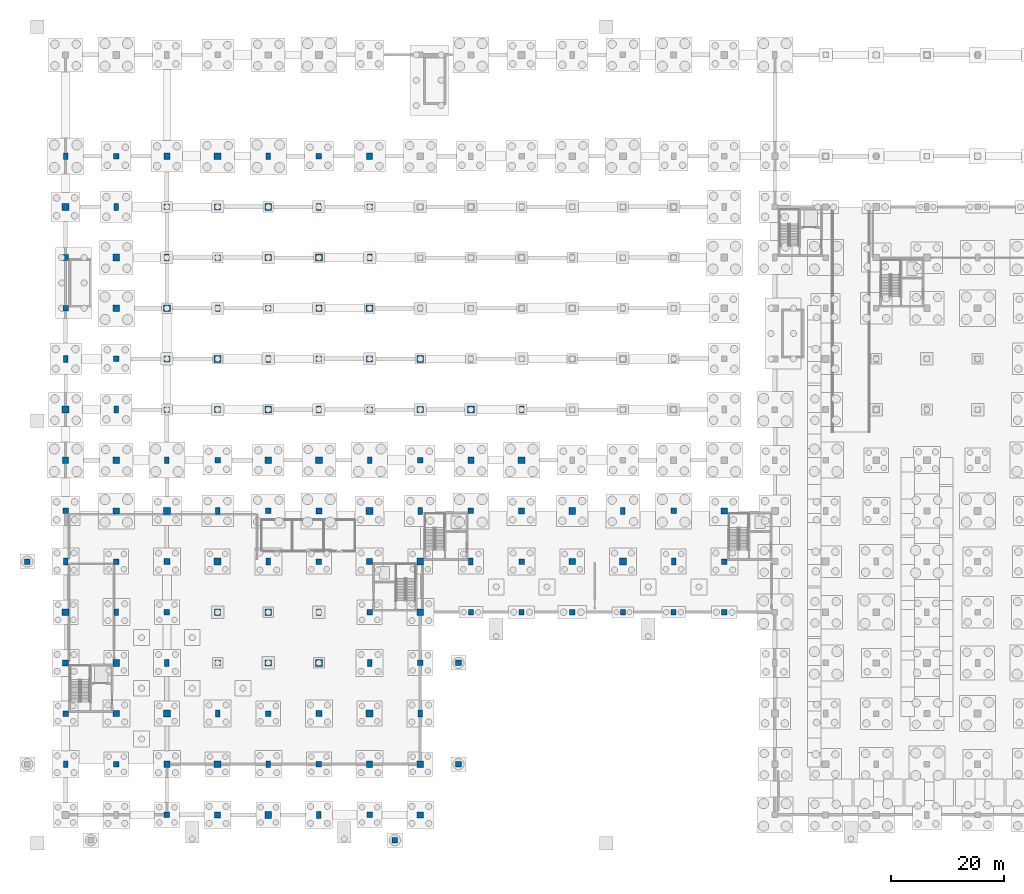
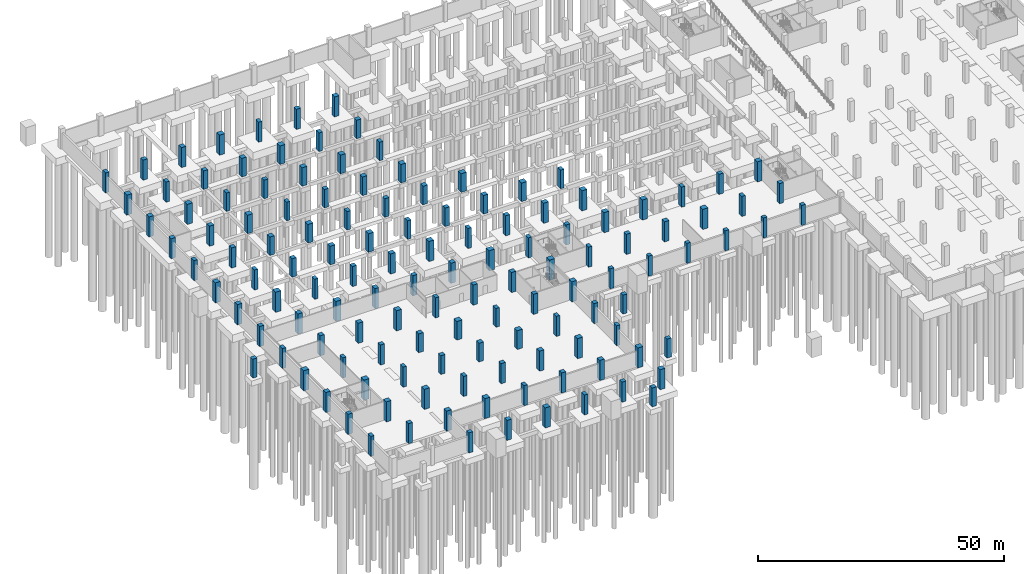
# One storey, part 12 of 37: 132 columns.
"""IFC4 building model written with IfcOpenShell, lengths in metres."""

from ifc_helpers import new_model, si_unit, direction, frame, origin, origin_2d, place, context, subcontext, project, spatial, rectangle, extrude, material, material_profile, profile_set, type_object, element, save


model = new_model("IFC4")

# Units and contexts
model_context = context("Model", 3, precision=1e-05, world=origin(), true_north=direction((0.0, 1.0)))
body_context = subcontext(model_context, "Body", "Model", "MODEL_VIEW")
ifc_project = project(units=[si_unit("LENGTHUNIT", "METRE"), si_unit("AREAUNIT", "SQUARE_METRE"), si_unit("VOLUMEUNIT", "CUBIC_METRE"), si_unit("PLANEANGLEUNIT", "RADIAN"), si_unit("MASSUNIT", "GRAM", prefix="KILO")], contexts=[model_context])

# Site, building, storey
site_placement = place(None, origin())
site = spatial("IfcSite", under=ifc_project, at=site_placement, CompositionType="ELEMENT")
building_placement = place(site_placement, origin())
building = spatial("IfcBuilding", under=site, at=building_placement, Name="Barlavento Convention Centre", CompositionType="ELEMENT")
storey_placement = place(building_placement, frame((0.0, 0.0, -5.0)))
storey = spatial("IfcBuildingStorey", under=building, at=storey_placement, Name="B1", CompositionType="ELEMENT", Elevation=-5.0)

# Columns
ifc_material = material(Name="Concrete C50/60", Category="concrete")
ifc_material_profile_1 = material_profile(ifc_material, rectangle(XDim=1.0, YDim=1.0, at=origin_2d()), Name="RC 1000x1000")
ifc_profile_set_1 = profile_set([ifc_material_profile_1], Name="Concrete C50/60")
column_type_1 = type_object("IfcColumnType", Name="STR-COL-RC1000", PredefinedType="COLUMN", material=ifc_profile_set_1)
for number, where, z_axis, x_axis, name in (
    (1, (0.0, 18.0, 0.0), (0.0, 0.0, 1.0), (1.0, 0.0, 0.0), "B1 column CC03"),
    (2, (0.0, 54.0, 0.0), (0.0, 0.0, 1.0), (1.0, 0.0, 0.0), "B1 column CC03"),
    (3, (0.0, 90.0, 0.0), (0.0, 0.0, 1.0), (1.0, 0.0, 0.0), "B1 column CC03"),
    (4, (9.0, 9.0, 0.0), (0.0, 0.0, 1.0), (1.0, 0.0, 0.0), "B1 column CC03"),
    (5, (9.0, 45.0, 0.0), (0.0, 0.0, 1.0), (1.0, 0.0, 0.0), "B1 column CC03"),
    (6, (9.0, 81.0, 0.0), (0.0, 0.0, 1.0), (1.0, 0.0, 0.0), "B1 column CC03"),
    (7, (9.0, 117.0, 0.0), (0.0, 0.0, 1.0), (1.0, 0.0, 0.0), "B1 column CC03"),
    (8, (18.0, 0.0, 0.0), (0.0, 0.0, 1.0), (1.0, 0.0, 0.0), "B1 column CC03"),
    (9, (18.0, 36.0, 0.0), (0.0, 0.0, 1.0), (1.0, 0.0, 0.0), "B1 column CC03"),
):
    element("IfcColumn", number, at=place(storey_placement, frame(where, z_axis=z_axis, x_axis=x_axis)), inside=storey, type_object=column_type_1, Name=name, PredefinedType="COLUMN", context=body_context, shape_type="SweptSolid", body=[
        extrude(rectangle(XDim=1.0, YDim=1.0, at=origin_2d()), origin(), (0.0, 0.0, 1.0), 5.0),
    ])
for number, where, z_axis, x_axis, name in (
    (10, (18.0, 72.0, 0.0), (0.0, 0.0, 1.0), (1.0, 0.0, 0.0), "B1 column CC03"),
    (11, (18.0, 108.0, 0.0), (0.0, 0.0, 1.0), (1.0, 0.0, 0.0), "B1 column CC03"),
):
    element("IfcColumn", number, at=place(storey_placement, frame(where, z_axis=z_axis, x_axis=x_axis)), inside=storey, type_object=column_type_1, Name=name, PredefinedType="COLUMN", context=body_context, shape_type="SweptSolid", body=[
        extrude(rectangle(XDim=1.0, YDim=1.0, at=origin_2d()), origin(), (0.0, 0.0, 1.0), 4.6201171875),
    ])
column_1_placement = place(storey_placement, frame((27.0, 27.0, 0.0), z_axis=(0.0, 0.0, 1.0), x_axis=(1.0, 0.0, 0.0)))
element("IfcColumn", 12, at=column_1_placement, inside=storey, type_object=column_type_1, Name="B1 column CC03", PredefinedType="COLUMN", context=body_context, shape_type="SweptSolid", body=[
    extrude(rectangle(XDim=1.0, YDim=1.0, at=origin_2d()), origin(), (0.0, 0.0, 1.0), 4.659912109375),
])
column_2_placement = place(storey_placement, frame((27.0, 63.0, 0.0), z_axis=(0.0, 0.0, 1.0), x_axis=(1.0, 0.0, 0.0)))
element("IfcColumn", 13, at=column_2_placement, inside=storey, type_object=column_type_1, Name="B1 column CC03", PredefinedType="COLUMN", context=body_context, shape_type="SweptSolid", body=[
    extrude(rectangle(XDim=1.0, YDim=1.0, at=origin_2d()), origin(), (0.0, 0.0, 1.0), 5.0),
])
column_3_placement = place(storey_placement, frame((27.0, 99.0, 0.0), z_axis=(0.0, 0.0, 1.0), x_axis=(1.0, 0.0, 0.0)))
element("IfcColumn", 14, at=column_3_placement, inside=storey, type_object=column_type_1, Name="B1 column CC03", PredefinedType="COLUMN", context=body_context, shape_type="SweptSolid", body=[
    extrude(rectangle(XDim=1.0, YDim=1.0, at=origin_2d()), origin(), (0.0, 0.0, 1.0), 4.6201171875),
])
for number, where, z_axis, x_axis, name in (
    (15, (36.0, 18.0, 0.0), (0.0, 0.0, 1.0), (1.0, 0.0, 0.0), "B1 column CC03"),
    (16, (36.0, 54.0, 0.0), (0.0, 0.0, 1.0), (1.0, 0.0, 0.0), "B1 column CC03"),
):
    element("IfcColumn", number, at=place(storey_placement, frame(where, z_axis=z_axis, x_axis=x_axis)), inside=storey, type_object=column_type_1, Name=name, PredefinedType="COLUMN", context=body_context, shape_type="SweptSolid", body=[
        extrude(rectangle(XDim=1.0, YDim=1.0, at=origin_2d()), origin(), (0.0, 0.0, 1.0), 5.0),
    ])
column_4_placement = place(storey_placement, frame((36.0, 90.0, 0.0), z_axis=(0.0, 0.0, 1.0), x_axis=(1.0, 0.0, 0.0)))
element("IfcColumn", 17, at=column_4_placement, inside=storey, type_object=column_type_1, Name="B1 column CC03", PredefinedType="COLUMN", context=body_context, shape_type="SweptSolid", body=[
    extrude(rectangle(XDim=1.0, YDim=1.0, at=origin_2d()), origin(), (0.0, 0.0, 1.0), 4.6201171875),
])
for number, where, z_axis, x_axis, name in (
    (18, (45.0, 9.0, 0.0), (0.0, 0.0, 1.0), (1.0, 0.0, 0.0), "B1 column CC03"),
    (19, (45.0, 45.0, 0.0), (0.0, 0.0, 1.0), (1.0, 0.0, 0.0), "B1 column CC03"),
):
    element("IfcColumn", number, at=place(storey_placement, frame(where, z_axis=z_axis, x_axis=x_axis)), inside=storey, type_object=column_type_1, Name=name, PredefinedType="COLUMN", context=body_context, shape_type="SweptSolid", body=[
        extrude(rectangle(XDim=1.0, YDim=1.0, at=origin_2d()), origin(), (0.0, 0.0, 1.0), 5.0),
    ])
column_5_placement = place(storey_placement, frame((45.0, 81.0, 0.0), z_axis=(0.0, 0.0, 1.0), x_axis=(1.0, 0.0, 0.0)))
element("IfcColumn", 20, at=column_5_placement, inside=storey, type_object=column_type_1, Name="B1 column CC03", PredefinedType="COLUMN", context=body_context, shape_type="SweptSolid", body=[
    extrude(rectangle(XDim=1.0, YDim=1.0, at=origin_2d()), origin(), (0.0, 0.0, 1.0), 4.6201171875),
])
for number, where, z_axis, x_axis, name in (
    (21, (45.0, 117.0, 0.0), (0.0, 0.0, 1.0), (1.0, 0.0, 0.0), "B1 column CC03"),
    (22, (54.0, 0.0, 0.0), (0.0, 0.0, 1.0), (1.0, 0.0, 0.0), "B1 column CC03"),
    (23, (54.0, 36.0, 0.0), (0.0, 0.0, 1.0), (1.0, 0.0, 0.0), "B1 column CC03"),
):
    element("IfcColumn", number, at=place(storey_placement, frame(where, z_axis=z_axis, x_axis=x_axis)), inside=storey, type_object=column_type_1, Name=name, PredefinedType="COLUMN", context=body_context, shape_type="SweptSolid", body=[
        extrude(rectangle(XDim=1.0, YDim=1.0, at=origin_2d()), origin(), (0.0, 0.0, 1.0), 5.0),
    ])
for number, where, z_axis, x_axis, name in (
    (24, (54.0, 72.0, 0.0), (0.0, 0.0, 1.0), (1.0, 0.0, 0.0), "B1 column CC03"),
    (25, (54.0, 108.0, 0.0), (0.0, 0.0, 1.0), (1.0, 0.0, 0.0), "B1 column CC03"),
):
    element("IfcColumn", number, at=place(storey_placement, frame(where, z_axis=z_axis, x_axis=x_axis)), inside=storey, type_object=column_type_1, Name=name, PredefinedType="COLUMN", context=body_context, shape_type="SweptSolid", body=[
        extrude(rectangle(XDim=1.0, YDim=1.0, at=origin_2d()), origin(), (0.0, 0.0, 1.0), 4.6201171875),
    ])
for number, where, z_axis, x_axis, name in (
    (26, (63.0, 27.0, 0.0), (0.0, 0.0, 1.0), (1.0, 0.0, 0.0), "B1 column CC03"),
    (27, (63.0, 63.0, 0.0), (0.0, 0.0, 1.0), (1.0, 0.0, 0.0), "B1 column CC03"),
    (28, (72.0, 54.0, 0.0), (0.0, 0.0, 1.0), (1.0, 0.0, 0.0), "B1 column CC03"),
    (29, (81.0, 45.0, 0.0), (0.0, 0.0, 1.0), (1.0, 0.0, 0.0), "B1 column CC03"),
    (30, (108.0, 54.0, 0.0), (0.0, 0.0, 1.0), (1.0, 0.0, 0.0), "B1 column CC03"),
    (31, (117.0, 45.0, 0.0), (0.0, 0.0, 1.0), (1.0, 0.0, 0.0), "B1 column CC03"),
):
    element("IfcColumn", number, at=place(storey_placement, frame(where, z_axis=z_axis, x_axis=x_axis)), inside=storey, type_object=column_type_1, Name=name, PredefinedType="COLUMN", context=body_context, shape_type="SweptSolid", body=[
        extrude(rectangle(XDim=1.0, YDim=1.0, at=origin_2d()), origin(), (0.0, 0.0, 1.0), 5.0),
    ])
for number, where, z_axis, x_axis, name in (
    (32, (58.5, -4.5, 0.0), (0.0, 0.0, 1.0), (1.0, 0.0, 0.0), "Canopy V-strut foundation pedestal CC03"),
    (33, (-6.800048828125, 45.0, 0.0), (0.0, 0.0, 1.0), (1.0, 0.0, 0.0), "Canopy V-strut foundation pedestal CC03"),
    (34, (69.800048828125, 9.0, 0.0), (0.0, 0.0, 1.0), (1.0, 0.0, 0.0), "Canopy V-strut foundation pedestal CC03"),
    (35, (69.800048828125, 27.0, 0.0), (0.0, 0.0, 1.0), (1.0, 0.0, 0.0), "Canopy V-strut foundation pedestal CC03"),
):
    element("IfcColumn", number, at=place(storey_placement, frame(where, z_axis=z_axis, x_axis=x_axis)), inside=storey, type_object=column_type_1, Name=name, PredefinedType="COLUMN", context=body_context, shape_type="SweptSolid", body=[
        extrude(rectangle(XDim=1.0, YDim=1.0, at=origin_2d()), origin(), (0.0, 0.0, 1.0), 4.699951171875),
    ])
ifc_material_profile_2 = material_profile(ifc_material, rectangle(XDim=1.10009765625, YDim=1.10009765625, at=origin_2d()), Name="RC 1100x1100")
ifc_profile_set_2 = profile_set([ifc_material_profile_2], Name="Concrete C50/60")
column_type_2 = type_object("IfcColumnType", Name="STR-COL-RC1100", PredefinedType="COLUMN", material=ifc_profile_set_2)
for number, where, z_axis, x_axis, name in (
    (36, (0.0, 27.0, 0.0), (0.0, 0.0, 1.0), (1.0, 0.0, 0.0), "B1 column CC02"),
    (37, (0.0, 63.0, 0.0), (0.0, 0.0, 1.0), (1.0, 0.0, 0.0), "B1 column CC02"),
    (38, (0.0, 99.0, 0.0), (0.0, 0.0, 1.0), (1.0, 0.0, 0.0), "B1 column CC02"),
    (39, (9.0, 18.0, 0.0), (0.0, 0.0, 1.0), (1.0, 0.0, 0.0), "B1 column CC02"),
    (40, (9.0, 54.0, 0.0), (0.0, 0.0, 1.0), (1.0, 0.0, 0.0), "B1 column CC02"),
    (41, (9.0, 90.0, 0.0), (0.0, 0.0, 1.0), (1.0, 0.0, 0.0), "B1 column CC02"),
    (42, (18.0, 9.0, 0.0), (0.0, 0.0, 1.0), (1.0, 0.0, 0.0), "B1 column CC02"),
    (43, (18.0, 45.0, 0.0), (0.0, 0.0, 1.0), (1.0, 0.0, 0.0), "B1 column CC02"),
):
    element("IfcColumn", number, at=place(storey_placement, frame(where, z_axis=z_axis, x_axis=x_axis)), inside=storey, type_object=column_type_2, Name=name, PredefinedType="COLUMN", context=body_context, shape_type="SweptSolid", body=[
        extrude(rectangle(XDim=1.10009765625, YDim=1.10009765625, at=origin_2d()), origin(), (0.0, 0.0, 1.0), 5.0),
    ])
column_6_placement = place(storey_placement, frame((18.0, 81.0, 0.0), z_axis=(0.0, 0.0, 1.0), x_axis=(1.0, 0.0, 0.0)))
element("IfcColumn", 44, at=column_6_placement, inside=storey, type_object=column_type_2, Name="B1 column CC02", PredefinedType="COLUMN", context=body_context, shape_type="SweptSolid", body=[
    extrude(rectangle(XDim=1.10009765625, YDim=1.10009765625, at=origin_2d()), origin(), (0.0, 0.0, 1.0), 4.6201171875),
])
for number, where, z_axis, x_axis, name in (
    (45, (18.0, 117.0, 0.0), (0.0, 0.0, 1.0), (1.0, 0.0, 0.0), "B1 column CC02"),
    (46, (27.0, 0.0, 0.0), (0.0, 0.0, 1.0), (1.0, 0.0, 0.0), "B1 column CC02"),
):
    element("IfcColumn", number, at=place(storey_placement, frame(where, z_axis=z_axis, x_axis=x_axis)), inside=storey, type_object=column_type_2, Name=name, PredefinedType="COLUMN", context=body_context, shape_type="SweptSolid", body=[
        extrude(rectangle(XDim=1.10009765625, YDim=1.10009765625, at=origin_2d()), origin(), (0.0, 0.0, 1.0), 5.0),
    ])
column_7_placement = place(storey_placement, frame((27.0, 36.0, 0.0), z_axis=(0.0, 0.0, 1.0), x_axis=(1.0, 0.0, 0.0)))
element("IfcColumn", 47, at=column_7_placement, inside=storey, type_object=column_type_2, Name="B1 column CC02", PredefinedType="COLUMN", context=body_context, shape_type="SweptSolid", body=[
    extrude(rectangle(XDim=1.10009765625, YDim=1.10009765625, at=origin_2d()), origin(), (0.0, 0.0, 1.0), 4.659912109375),
])
for number, where, z_axis, x_axis, name in (
    (48, (27.0, 72.0, 0.0), (0.0, 0.0, 1.0), (1.0, 0.0, 0.0), "B1 column CC02"),
    (49, (27.0, 108.0, 0.0), (0.0, 0.0, 1.0), (1.0, 0.0, 0.0), "B1 column CC02"),
):
    element("IfcColumn", number, at=place(storey_placement, frame(where, z_axis=z_axis, x_axis=x_axis)), inside=storey, type_object=column_type_2, Name=name, PredefinedType="COLUMN", context=body_context, shape_type="SweptSolid", body=[
        extrude(rectangle(XDim=1.10009765625, YDim=1.10009765625, at=origin_2d()), origin(), (0.0, 0.0, 1.0), 4.6201171875),
    ])
column_8_placement = place(storey_placement, frame((36.0, 27.0, 0.0), z_axis=(0.0, 0.0, 1.0), x_axis=(1.0, 0.0, 0.0)))
element("IfcColumn", 50, at=column_8_placement, inside=storey, type_object=column_type_2, Name="B1 column CC02", PredefinedType="COLUMN", context=body_context, shape_type="SweptSolid", body=[
    extrude(rectangle(XDim=1.10009765625, YDim=1.10009765625, at=origin_2d()), origin(), (0.0, 0.0, 1.0), 4.659912109375),
])
column_9_placement = place(storey_placement, frame((36.0, 63.0, 0.0), z_axis=(0.0, 0.0, 1.0), x_axis=(1.0, 0.0, 0.0)))
element("IfcColumn", 51, at=column_9_placement, inside=storey, type_object=column_type_2, Name="B1 column CC02", PredefinedType="COLUMN", context=body_context, shape_type="SweptSolid", body=[
    extrude(rectangle(XDim=1.10009765625, YDim=1.10009765625, at=origin_2d()), origin(), (0.0, 0.0, 1.0), 5.0),
])
column_10_placement = place(storey_placement, frame((36.0, 99.0, 0.0), z_axis=(0.0, 0.0, 1.0), x_axis=(1.0, 0.0, 0.0)))
element("IfcColumn", 52, at=column_10_placement, inside=storey, type_object=column_type_2, Name="B1 column CC02", PredefinedType="COLUMN", context=body_context, shape_type="SweptSolid", body=[
    extrude(rectangle(XDim=1.10009765625, YDim=1.10009765625, at=origin_2d()), origin(), (0.0, 0.0, 1.0), 4.6201171875),
])
for number, where, z_axis, x_axis, name in (
    (53, (45.0, 18.0, 0.0), (0.0, 0.0, 1.0), (1.0, 0.0, 0.0), "B1 column CC02"),
    (54, (45.0, 54.0, 0.0), (0.0, 0.0, 1.0), (1.0, 0.0, 0.0), "B1 column CC02"),
):
    element("IfcColumn", number, at=place(storey_placement, frame(where, z_axis=z_axis, x_axis=x_axis)), inside=storey, type_object=column_type_2, Name=name, PredefinedType="COLUMN", context=body_context, shape_type="SweptSolid", body=[
        extrude(rectangle(XDim=1.10009765625, YDim=1.10009765625, at=origin_2d()), origin(), (0.0, 0.0, 1.0), 5.0),
    ])
column_11_placement = place(storey_placement, frame((45.0, 90.0, 0.0), z_axis=(0.0, 0.0, 1.0), x_axis=(1.0, 0.0, 0.0)))
element("IfcColumn", 55, at=column_11_placement, inside=storey, type_object=column_type_2, Name="B1 column CC02", PredefinedType="COLUMN", context=body_context, shape_type="SweptSolid", body=[
    extrude(rectangle(XDim=1.10009765625, YDim=1.10009765625, at=origin_2d()), origin(), (0.0, 0.0, 1.0), 4.6201171875),
])
for number, where, z_axis, x_axis, name in (
    (56, (54.0, 9.0, 0.0), (0.0, 0.0, 1.0), (1.0, 0.0, 0.0), "B1 column CC02"),
    (57, (54.0, 45.0, 0.0), (0.0, 0.0, 1.0), (1.0, 0.0, 0.0), "B1 column CC02"),
):
    element("IfcColumn", number, at=place(storey_placement, frame(where, z_axis=z_axis, x_axis=x_axis)), inside=storey, type_object=column_type_2, Name=name, PredefinedType="COLUMN", context=body_context, shape_type="SweptSolid", body=[
        extrude(rectangle(XDim=1.10009765625, YDim=1.10009765625, at=origin_2d()), origin(), (0.0, 0.0, 1.0), 5.0),
    ])
column_12_placement = place(storey_placement, frame((54.0, 81.0, 0.0), z_axis=(0.0, 0.0, 1.0), x_axis=(1.0, 0.0, 0.0)))
element("IfcColumn", 58, at=column_12_placement, inside=storey, type_object=column_type_2, Name="B1 column CC02", PredefinedType="COLUMN", context=body_context, shape_type="SweptSolid", body=[
    extrude(rectangle(XDim=1.10009765625, YDim=1.10009765625, at=origin_2d()), origin(), (0.0, 0.0, 1.0), 4.6201171875),
])
for number, where, z_axis, x_axis, name in (
    (59, (54.0, 117.0, 0.0), (0.0, 0.0, 1.0), (1.0, 0.0, 0.0), "B1 column CC02"),
    (60, (63.0, 0.0, 0.0), (0.0, 0.0, 1.0), (1.0, 0.0, 0.0), "B1 column CC02"),
    (61, (63.0, 36.0, 0.0), (0.0, 0.0, 1.0), (1.0, 0.0, 0.0), "B1 column CC02"),
):
    element("IfcColumn", number, at=place(storey_placement, frame(where, z_axis=z_axis, x_axis=x_axis)), inside=storey, type_object=column_type_2, Name=name, PredefinedType="COLUMN", context=body_context, shape_type="SweptSolid", body=[
        extrude(rectangle(XDim=1.10009765625, YDim=1.10009765625, at=origin_2d()), origin(), (0.0, 0.0, 1.0), 5.0),
    ])
column_13_placement = place(storey_placement, frame((63.0, 72.0, 0.0), z_axis=(0.0, 0.0, 1.0), x_axis=(1.0, 0.0, 0.0)))
element("IfcColumn", 62, at=column_13_placement, inside=storey, type_object=column_type_2, Name="B1 column CC02", PredefinedType="COLUMN", context=body_context, shape_type="SweptSolid", body=[
    extrude(rectangle(XDim=1.10009765625, YDim=1.10009765625, at=origin_2d()), origin(), (0.0, 0.0, 1.0), 4.6201171875),
])
for number, where, z_axis, x_axis, name in (
    (63, (72.0, 63.0, 0.0), (0.0, 0.0, 1.0), (1.0, 0.0, 0.0), "B1 column CC02"),
    (64, (81.0, 54.0, 0.0), (0.0, 0.0, 1.0), (1.0, 0.0, 0.0), "B1 column CC02"),
    (65, (90.0, 45.0, 0.0), (0.0, 0.0, 1.0), (1.0, 0.0, 0.0), "B1 column CC02"),
    (66, (117.0, 54.0, 0.0), (0.0, 0.0, 1.0), (1.0, 0.0, 0.0), "B1 column CC02"),
):
    element("IfcColumn", number, at=place(storey_placement, frame(where, z_axis=z_axis, x_axis=x_axis)), inside=storey, type_object=column_type_2, Name=name, PredefinedType="COLUMN", context=body_context, shape_type="SweptSolid", body=[
        extrude(rectangle(XDim=1.10009765625, YDim=1.10009765625, at=origin_2d()), origin(), (0.0, 0.0, 1.0), 5.0),
    ])
ifc_material_profile_3 = material_profile(ifc_material, rectangle(XDim=1.199951171875, YDim=1.199951171875, at=origin_2d()), Name="RC 1200x1200")
ifc_profile_set_3 = profile_set([ifc_material_profile_3], Name="Concrete C50/60")
column_type_3 = type_object("IfcColumnType", Name="STR-COL-RC1200", PredefinedType="COLUMN", material=ifc_profile_set_3)
for number, where, z_axis, x_axis, name in (
    (67, (0.0, 36.0, 0.0), (0.0, 0.0, 1.0), (1.0, 0.0, 0.0), "B1 column CC01"),
    (68, (0.0, 72.0, 0.0), (0.0, 0.0, 1.0), (1.0, 0.0, 0.0), "B1 column CC01"),
    (69, (0.0, 108.0, 0.0), (0.0, 0.0, 1.0), (1.0, 0.0, 0.0), "B1 column CC01"),
    (70, (9.0, 27.0, 0.0), (0.0, 0.0, 1.0), (1.0, 0.0, 0.0), "B1 column CC01"),
    (71, (9.0, 63.0, 0.0), (0.0, 0.0, 1.0), (1.0, 0.0, 0.0), "B1 column CC01"),
    (72, (9.0, 99.0, 0.0), (0.0, 0.0, 1.0), (1.0, 0.0, 0.0), "B1 column CC01"),
    (73, (18.0, 18.0, 0.0), (0.0, 0.0, 1.0), (1.0, 0.0, 0.0), "B1 column CC01"),
    (74, (18.0, 54.0, 0.0), (0.0, 0.0, 1.0), (1.0, 0.0, 0.0), "B1 column CC01"),
):
    element("IfcColumn", number, at=place(storey_placement, frame(where, z_axis=z_axis, x_axis=x_axis)), inside=storey, type_object=column_type_3, Name=name, PredefinedType="COLUMN", context=body_context, shape_type="SweptSolid", body=[
        extrude(rectangle(XDim=1.199951171875, YDim=1.199951171875, at=origin_2d()), origin(), (0.0, 0.0, 1.0), 5.0),
    ])
column_14_placement = place(storey_placement, frame((18.0, 90.0, 0.0), z_axis=(0.0, 0.0, 1.0), x_axis=(1.0, 0.0, 0.0)))
element("IfcColumn", 75, at=column_14_placement, inside=storey, type_object=column_type_3, Name="B1 column CC01", PredefinedType="COLUMN", context=body_context, shape_type="SweptSolid", body=[
    extrude(rectangle(XDim=1.199951171875, YDim=1.199951171875, at=origin_2d()), origin(), (0.0, 0.0, 1.0), 4.6201171875),
])
for number, where, z_axis, x_axis, name in (
    (76, (27.0, 9.0, 0.0), (0.0, 0.0, 1.0), (1.0, 0.0, 0.0), "B1 column CC01"),
    (77, (27.0, 45.0, 0.0), (0.0, 0.0, 1.0), (1.0, 0.0, 0.0), "B1 column CC01"),
):
    element("IfcColumn", number, at=place(storey_placement, frame(where, z_axis=z_axis, x_axis=x_axis)), inside=storey, type_object=column_type_3, Name=name, PredefinedType="COLUMN", context=body_context, shape_type="SweptSolid", body=[
        extrude(rectangle(XDim=1.199951171875, YDim=1.199951171875, at=origin_2d()), origin(), (0.0, 0.0, 1.0), 5.0),
    ])
column_15_placement = place(storey_placement, frame((27.0, 81.0, 0.0), z_axis=(0.0, 0.0, 1.0), x_axis=(1.0, 0.0, 0.0)))
element("IfcColumn", 78, at=column_15_placement, inside=storey, type_object=column_type_3, Name="B1 column CC01", PredefinedType="COLUMN", context=body_context, shape_type="SweptSolid", body=[
    extrude(rectangle(XDim=1.199951171875, YDim=1.199951171875, at=origin_2d()), origin(), (0.0, 0.0, 1.0), 4.6201171875),
])
for number, where, z_axis, x_axis, name in (
    (79, (27.0, 117.0, 0.0), (0.0, 0.0, 1.0), (1.0, 0.0, 0.0), "B1 column CC01"),
    (80, (36.0, 0.0, 0.0), (0.0, 0.0, 1.0), (1.0, 0.0, 0.0), "B1 column CC01"),
):
    element("IfcColumn", number, at=place(storey_placement, frame(where, z_axis=z_axis, x_axis=x_axis)), inside=storey, type_object=column_type_3, Name=name, PredefinedType="COLUMN", context=body_context, shape_type="SweptSolid", body=[
        extrude(rectangle(XDim=1.199951171875, YDim=1.199951171875, at=origin_2d()), origin(), (0.0, 0.0, 1.0), 5.0),
    ])
column_16_placement = place(storey_placement, frame((36.0, 36.0, 0.0), z_axis=(0.0, 0.0, 1.0), x_axis=(1.0, 0.0, 0.0)))
element("IfcColumn", 81, at=column_16_placement, inside=storey, type_object=column_type_3, Name="B1 column CC01", PredefinedType="COLUMN", context=body_context, shape_type="SweptSolid", body=[
    extrude(rectangle(XDim=1.199951171875, YDim=1.199951171875, at=origin_2d()), origin(), (0.0, 0.0, 1.0), 4.659912109375),
])
for number, where, z_axis, x_axis, name in (
    (82, (36.0, 72.0, 0.0), (0.0, 0.0, 1.0), (1.0, 0.0, 0.0), "B1 column CC01"),
    (83, (36.0, 108.0, 0.0), (0.0, 0.0, 1.0), (1.0, 0.0, 0.0), "B1 column CC01"),
):
    element("IfcColumn", number, at=place(storey_placement, frame(where, z_axis=z_axis, x_axis=x_axis)), inside=storey, type_object=column_type_3, Name=name, PredefinedType="COLUMN", context=body_context, shape_type="SweptSolid", body=[
        extrude(rectangle(XDim=1.199951171875, YDim=1.199951171875, at=origin_2d()), origin(), (0.0, 0.0, 1.0), 4.6201171875),
    ])
column_17_placement = place(storey_placement, frame((45.0, 27.0, 0.0), z_axis=(0.0, 0.0, 1.0), x_axis=(1.0, 0.0, 0.0)))
element("IfcColumn", 84, at=column_17_placement, inside=storey, type_object=column_type_3, Name="B1 column CC01", PredefinedType="COLUMN", context=body_context, shape_type="SweptSolid", body=[
    extrude(rectangle(XDim=1.199951171875, YDim=1.199951171875, at=origin_2d()), origin(), (0.0, 0.0, 1.0), 4.659912109375),
])
column_18_placement = place(storey_placement, frame((45.0, 63.0, 0.0), z_axis=(0.0, 0.0, 1.0), x_axis=(1.0, 0.0, 0.0)))
element("IfcColumn", 85, at=column_18_placement, inside=storey, type_object=column_type_3, Name="B1 column CC01", PredefinedType="COLUMN", context=body_context, shape_type="SweptSolid", body=[
    extrude(rectangle(XDim=1.199951171875, YDim=1.199951171875, at=origin_2d()), origin(), (0.0, 0.0, 1.0), 5.0),
])
column_19_placement = place(storey_placement, frame((45.0, 99.0, 0.0), z_axis=(0.0, 0.0, 1.0), x_axis=(1.0, 0.0, 0.0)))
element("IfcColumn", 86, at=column_19_placement, inside=storey, type_object=column_type_3, Name="B1 column CC01", PredefinedType="COLUMN", context=body_context, shape_type="SweptSolid", body=[
    extrude(rectangle(XDim=1.199951171875, YDim=1.199951171875, at=origin_2d()), origin(), (0.0, 0.0, 1.0), 4.6201171875),
])
for number, where, z_axis, x_axis, name in (
    (87, (54.0, 18.0, 0.0), (0.0, 0.0, 1.0), (1.0, 0.0, 0.0), "B1 column CC01"),
    (88, (54.0, 54.0, 0.0), (0.0, 0.0, 1.0), (1.0, 0.0, 0.0), "B1 column CC01"),
):
    element("IfcColumn", number, at=place(storey_placement, frame(where, z_axis=z_axis, x_axis=x_axis)), inside=storey, type_object=column_type_3, Name=name, PredefinedType="COLUMN", context=body_context, shape_type="SweptSolid", body=[
        extrude(rectangle(XDim=1.199951171875, YDim=1.199951171875, at=origin_2d()), origin(), (0.0, 0.0, 1.0), 5.0),
    ])
column_20_placement = place(storey_placement, frame((54.0, 90.0, 0.0), z_axis=(0.0, 0.0, 1.0), x_axis=(1.0, 0.0, 0.0)))
element("IfcColumn", 89, at=column_20_placement, inside=storey, type_object=column_type_3, Name="B1 column CC01", PredefinedType="COLUMN", context=body_context, shape_type="SweptSolid", body=[
    extrude(rectangle(XDim=1.199951171875, YDim=1.199951171875, at=origin_2d()), origin(), (0.0, 0.0, 1.0), 4.6201171875),
])
for number, where, z_axis, x_axis, name in (
    (90, (63.0, 9.0, 0.0), (0.0, 0.0, 1.0), (1.0, 0.0, 0.0), "B1 column CC01"),
    (91, (63.0, 45.0, 0.0), (0.0, 0.0, 1.0), (1.0, 0.0, 0.0), "B1 column CC01"),
):
    element("IfcColumn", number, at=place(storey_placement, frame(where, z_axis=z_axis, x_axis=x_axis)), inside=storey, type_object=column_type_3, Name=name, PredefinedType="COLUMN", context=body_context, shape_type="SweptSolid", body=[
        extrude(rectangle(XDim=1.199951171875, YDim=1.199951171875, at=origin_2d()), origin(), (0.0, 0.0, 1.0), 5.0),
    ])
for number, where, z_axis, x_axis, name in (
    (92, (63.0, 81.0, 0.0), (0.0, 0.0, 1.0), (1.0, 0.0, 0.0), "B1 column CC01"),
    (93, (72.0, 72.0, 0.0), (0.0, 0.0, 1.0), (1.0, 0.0, 0.0), "B1 column CC01"),
):
    element("IfcColumn", number, at=place(storey_placement, frame(where, z_axis=z_axis, x_axis=x_axis)), inside=storey, type_object=column_type_3, Name=name, PredefinedType="COLUMN", context=body_context, shape_type="SweptSolid", body=[
        extrude(rectangle(XDim=1.199951171875, YDim=1.199951171875, at=origin_2d()), origin(), (0.0, 0.0, 1.0), 4.6201171875),
    ])
for number, where, z_axis, x_axis, name in (
    (94, (81.0, 63.0, 0.0), (0.0, 0.0, 1.0), (1.0, 0.0, 0.0), "B1 column CC01"),
    (95, (90.0, 54.0, 0.0), (0.0, 0.0, 1.0), (1.0, 0.0, 0.0), "B1 column CC01"),
    (96, (99.0, 45.0, 0.0), (0.0, 0.0, 1.0), (1.0, 0.0, 0.0), "B1 column CC01"),
):
    element("IfcColumn", number, at=place(storey_placement, frame(where, z_axis=z_axis, x_axis=x_axis)), inside=storey, type_object=column_type_3, Name=name, PredefinedType="COLUMN", context=body_context, shape_type="SweptSolid", body=[
        extrude(rectangle(XDim=1.199951171875, YDim=1.199951171875, at=origin_2d()), origin(), (0.0, 0.0, 1.0), 5.0),
    ])
ifc_material_profile_4 = material_profile(ifc_material, rectangle(XDim=0.800048828125, YDim=1.199951171875, at=origin_2d()), Name="RC 800x1200")
ifc_profile_set_4 = profile_set([ifc_material_profile_4], Name="Concrete C50/60")
column_type_4 = type_object("IfcColumnType", Name="STR-COL-RC800X1200", PredefinedType="COLUMN", material=ifc_profile_set_4)
for number, where, z_axis, x_axis, name in (
    (97, (0.0, 9.0, 0.0), (0.0, 0.0, 1.0), (1.0, 0.0, 0.0), "B1 column CC08"),
    (98, (0.0, 45.0, 0.0), (0.0, 0.0, 1.0), (1.0, 0.0, 0.0), "B1 column CC08"),
    (99, (0.0, 81.0, 0.0), (0.0, 0.0, 1.0), (1.0, 0.0, 0.0), "B1 column CC08"),
    (100, (0.0, 117.0, 0.0), (0.0, 0.0, 1.0), (1.0, 0.0, 0.0), "B1 column CC08"),
    (101, (9.0, 36.0, 0.0), (0.0, 0.0, 1.0), (1.0, 0.0, 0.0), "B1 column CC08"),
    (102, (9.0, 72.0, 0.0), (0.0, 0.0, 1.0), (1.0, 0.0, 0.0), "B1 column CC08"),
    (103, (9.0, 108.0, 0.0), (0.0, 0.0, 1.0), (1.0, 0.0, 0.0), "B1 column CC08"),
    (104, (18.0, 27.0, 0.0), (0.0, 0.0, 1.0), (1.0, 0.0, 0.0), "B1 column CC08"),
    (105, (18.0, 63.0, 0.0), (0.0, 0.0, 1.0), (1.0, 0.0, 0.0), "B1 column CC08"),
):
    element("IfcColumn", number, at=place(storey_placement, frame(where, z_axis=z_axis, x_axis=x_axis)), inside=storey, type_object=column_type_4, Name=name, PredefinedType="COLUMN", context=body_context, shape_type="SweptSolid", body=[
        extrude(rectangle(XDim=0.800048828125, YDim=1.199951171875, at=origin_2d()), origin(), (0.0, 0.0, 1.0), 5.0),
    ])
column_21_placement = place(storey_placement, frame((18.0, 99.0, 0.0), z_axis=(0.0, 0.0, 1.0), x_axis=(1.0, 0.0, 0.0)))
element("IfcColumn", 106, at=column_21_placement, inside=storey, type_object=column_type_4, Name="B1 column CC08", PredefinedType="COLUMN", context=body_context, shape_type="SweptSolid", body=[
    extrude(rectangle(XDim=0.800048828125, YDim=1.199951171875, at=origin_2d()), origin(), (0.0, 0.0, 1.0), 4.6201171875),
])
for number, where, z_axis, x_axis, name in (
    (107, (27.0, 18.0, 0.0), (0.0, 0.0, 1.0), (1.0, 0.0, 0.0), "B1 column CC08"),
    (108, (27.0, 54.0, 0.0), (0.0, 0.0, 1.0), (1.0, 0.0, 0.0), "B1 column CC08"),
):
    element("IfcColumn", number, at=place(storey_placement, frame(where, z_axis=z_axis, x_axis=x_axis)), inside=storey, type_object=column_type_4, Name=name, PredefinedType="COLUMN", context=body_context, shape_type="SweptSolid", body=[
        extrude(rectangle(XDim=0.800048828125, YDim=1.199951171875, at=origin_2d()), origin(), (0.0, 0.0, 1.0), 5.0),
    ])
column_22_placement = place(storey_placement, frame((27.0, 90.0, 0.0), z_axis=(0.0, 0.0, 1.0), x_axis=(1.0, 0.0, 0.0)))
element("IfcColumn", 109, at=column_22_placement, inside=storey, type_object=column_type_4, Name="B1 column CC08", PredefinedType="COLUMN", context=body_context, shape_type="SweptSolid", body=[
    extrude(rectangle(XDim=0.800048828125, YDim=1.199951171875, at=origin_2d()), origin(), (0.0, 0.0, 1.0), 4.6201171875),
])
for number, where, z_axis, x_axis, name in (
    (110, (36.0, 9.0, 0.0), (0.0, 0.0, 1.0), (1.0, 0.0, 0.0), "B1 column CC08"),
    (111, (36.0, 45.0, 0.0), (0.0, 0.0, 1.0), (1.0, 0.0, 0.0), "B1 column CC08"),
):
    element("IfcColumn", number, at=place(storey_placement, frame(where, z_axis=z_axis, x_axis=x_axis)), inside=storey, type_object=column_type_4, Name=name, PredefinedType="COLUMN", context=body_context, shape_type="SweptSolid", body=[
        extrude(rectangle(XDim=0.800048828125, YDim=1.199951171875, at=origin_2d()), origin(), (0.0, 0.0, 1.0), 5.0),
    ])
column_23_placement = place(storey_placement, frame((36.0, 81.0, 0.0), z_axis=(0.0, 0.0, 1.0), x_axis=(1.0, 0.0, 0.0)))
element("IfcColumn", 112, at=column_23_placement, inside=storey, type_object=column_type_4, Name="B1 column CC08", PredefinedType="COLUMN", context=body_context, shape_type="SweptSolid", body=[
    extrude(rectangle(XDim=0.800048828125, YDim=1.199951171875, at=origin_2d()), origin(), (0.0, 0.0, 1.0), 4.6201171875),
])
for number, where, z_axis, x_axis, name in (
    (113, (36.0, 117.0, 0.0), (0.0, 0.0, 1.0), (1.0, 0.0, 0.0), "B1 column CC08"),
    (114, (45.0, 0.0, 0.0), (0.0, 0.0, 1.0), (1.0, 0.0, 0.0), "B1 column CC08"),
):
    element("IfcColumn", number, at=place(storey_placement, frame(where, z_axis=z_axis, x_axis=x_axis)), inside=storey, type_object=column_type_4, Name=name, PredefinedType="COLUMN", context=body_context, shape_type="SweptSolid", body=[
        extrude(rectangle(XDim=0.800048828125, YDim=1.199951171875, at=origin_2d()), origin(), (0.0, 0.0, 1.0), 5.0),
    ])
column_24_placement = place(storey_placement, frame((45.0, 36.0, 0.0), z_axis=(0.0, 0.0, 1.0), x_axis=(1.0, 0.0, 0.0)))
element("IfcColumn", 115, at=column_24_placement, inside=storey, type_object=column_type_4, Name="B1 column CC08", PredefinedType="COLUMN", context=body_context, shape_type="SweptSolid", body=[
    extrude(rectangle(XDim=0.800048828125, YDim=1.199951171875, at=origin_2d()), origin(), (0.0, 0.0, 1.0), 4.659912109375),
])
for number, where, z_axis, x_axis, name in (
    (116, (45.0, 72.0, 0.0), (0.0, 0.0, 1.0), (1.0, 0.0, 0.0), "B1 column CC08"),
    (117, (45.0, 108.0, 0.0), (0.0, 0.0, 1.0), (1.0, 0.0, 0.0), "B1 column CC08"),
):
    element("IfcColumn", number, at=place(storey_placement, frame(where, z_axis=z_axis, x_axis=x_axis)), inside=storey, type_object=column_type_4, Name=name, PredefinedType="COLUMN", context=body_context, shape_type="SweptSolid", body=[
        extrude(rectangle(XDim=0.800048828125, YDim=1.199951171875, at=origin_2d()), origin(), (0.0, 0.0, 1.0), 4.6201171875),
    ])
for number, where, z_axis, x_axis, name in (
    (118, (54.0, 27.0, 0.0), (0.0, 0.0, 1.0), (1.0, 0.0, 0.0), "B1 column CC08"),
    (119, (54.0, 63.0, 0.0), (0.0, 0.0, 1.0), (1.0, 0.0, 0.0), "B1 column CC08"),
):
    element("IfcColumn", number, at=place(storey_placement, frame(where, z_axis=z_axis, x_axis=x_axis)), inside=storey, type_object=column_type_4, Name=name, PredefinedType="COLUMN", context=body_context, shape_type="SweptSolid", body=[
        extrude(rectangle(XDim=0.800048828125, YDim=1.199951171875, at=origin_2d()), origin(), (0.0, 0.0, 1.0), 5.0),
    ])
column_25_placement = place(storey_placement, frame((54.0, 99.0, 0.0), z_axis=(0.0, 0.0, 1.0), x_axis=(1.0, 0.0, 0.0)))
element("IfcColumn", 120, at=column_25_placement, inside=storey, type_object=column_type_4, Name="B1 column CC08", PredefinedType="COLUMN", context=body_context, shape_type="SweptSolid", body=[
    extrude(rectangle(XDim=0.800048828125, YDim=1.199951171875, at=origin_2d()), origin(), (0.0, 0.0, 1.0), 4.6201171875),
])
for number, where, z_axis, x_axis, name in (
    (121, (63.0, 18.0, 0.0), (0.0, 0.0, 1.0), (1.0, 0.0, 0.0), "B1 column CC08"),
    (122, (63.0, 54.0, 0.0), (0.0, 0.0, 1.0), (1.0, 0.0, 0.0), "B1 column CC08"),
    (123, (72.0, 45.0, 0.0), (0.0, 0.0, 1.0), (1.0, 0.0, 0.0), "B1 column CC08"),
):
    element("IfcColumn", number, at=place(storey_placement, frame(where, z_axis=z_axis, x_axis=x_axis)), inside=storey, type_object=column_type_4, Name=name, PredefinedType="COLUMN", context=body_context, shape_type="SweptSolid", body=[
        extrude(rectangle(XDim=0.800048828125, YDim=1.199951171875, at=origin_2d()), origin(), (0.0, 0.0, 1.0), 5.0),
    ])
column_26_placement = place(storey_placement, frame((81.0, 72.0, 0.0), z_axis=(0.0, 0.0, 1.0), x_axis=(1.0, 0.0, 0.0)))
element("IfcColumn", 124, at=column_26_placement, inside=storey, type_object=column_type_4, Name="B1 column CC08", PredefinedType="COLUMN", context=body_context, shape_type="SweptSolid", body=[
    extrude(rectangle(XDim=0.800048828125, YDim=1.199951171875, at=origin_2d()), origin(), (0.0, 0.0, 1.0), 4.6201171875),
])
for number, where, z_axis, x_axis, name in (
    (125, (99.0, 54.0, 0.0), (0.0, 0.0, 1.0), (1.0, 0.0, 0.0), "B1 column CC08"),
    (126, (108.0, 45.0, 0.0), (0.0, 0.0, 1.0), (1.0, 0.0, 0.0), "B1 column CC08"),
):
    element("IfcColumn", number, at=place(storey_placement, frame(where, z_axis=z_axis, x_axis=x_axis)), inside=storey, type_object=column_type_4, Name=name, PredefinedType="COLUMN", context=body_context, shape_type="SweptSolid", body=[
        extrude(rectangle(XDim=0.800048828125, YDim=1.199951171875, at=origin_2d()), origin(), (0.0, 0.0, 1.0), 5.0),
    ])
ifc_material_profile_5 = material_profile(ifc_material, rectangle(XDim=0.89990234375, YDim=0.89990234375, at=origin_2d()), Name="RC 900x900")
ifc_profile_set_5 = profile_set([ifc_material_profile_5], Name="Concrete C50/60")
column_type_5 = type_object("IfcColumnType", Name="STR-COL-RC900", PredefinedType="COLUMN", material=ifc_profile_set_5)
for number, where, z_axis, x_axis, name in (
    (127, (72.0, 36.0, 0.0), (0.0, 0.0, 1.0), (1.0, 0.0, 0.0), "B1 column CC04"),
    (128, (81.0, 36.0, 0.0), (0.0, 0.0, 1.0), (1.0, 0.0, 0.0), "B1 column CC04"),
    (129, (90.0, 36.0, 0.0), (0.0, 0.0, 1.0), (1.0, 0.0, 0.0), "B1 column CC04"),
    (130, (99.0, 36.0, 0.0), (0.0, 0.0, 1.0), (1.0, 0.0, 0.0), "B1 column CC04"),
    (131, (108.0, 36.0, 0.0), (0.0, 0.0, 1.0), (1.0, 0.0, 0.0), "B1 column CC04"),
    (132, (117.0, 36.0, 0.0), (0.0, 0.0, 1.0), (1.0, 0.0, 0.0), "B1 column CC04"),
):
    element("IfcColumn", number, at=place(storey_placement, frame(where, z_axis=z_axis, x_axis=x_axis)), inside=storey, type_object=column_type_5, Name=name, PredefinedType="COLUMN", context=body_context, shape_type="SweptSolid", body=[
        extrude(rectangle(XDim=0.89990234375, YDim=0.89990234375, at=origin_2d()), origin(), (0.0, 0.0, 1.0), 5.0),
    ])

save(model, "model.ifc")
